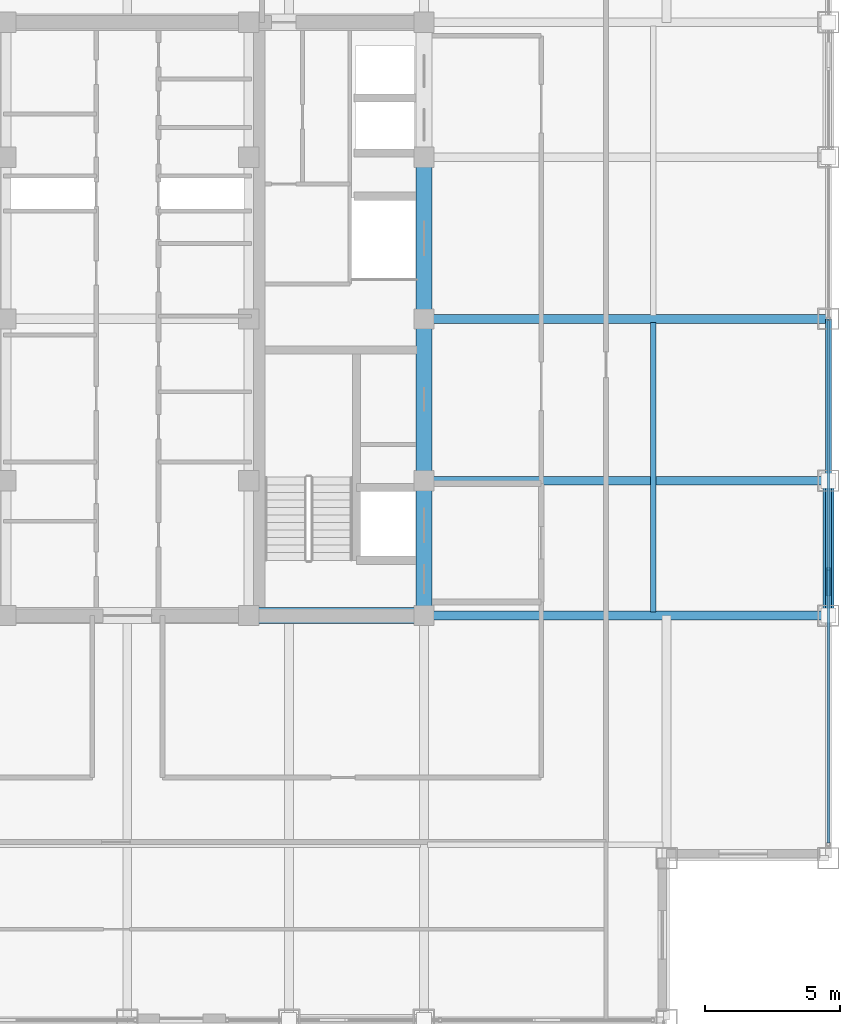
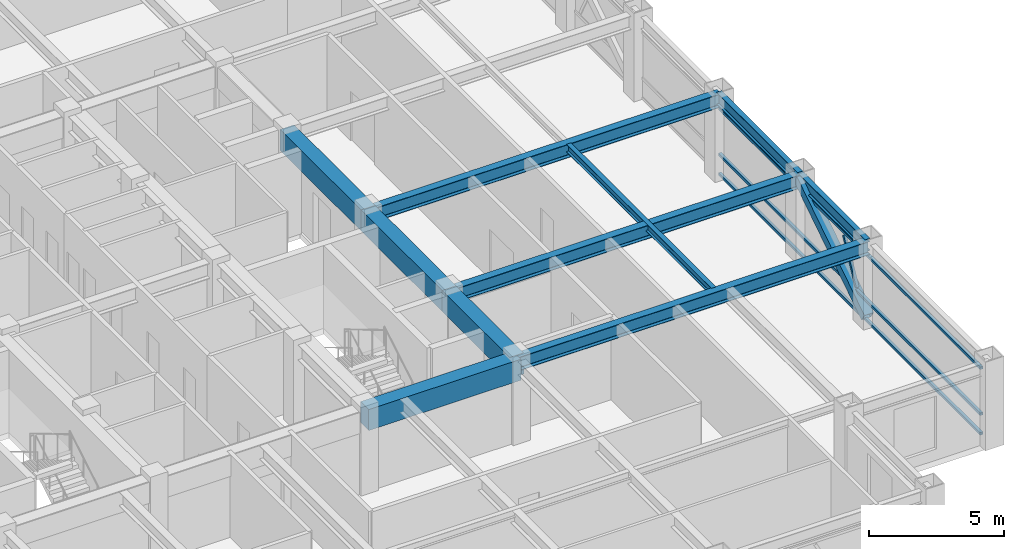
# One storey, part 12 of 30: 10 beams, 5 members, 1 element without a shape of its own.
"""IFC4 building model written with IfcOpenShell, lengths in metres."""

from ifc_helpers import new_model, si_unit, direction, frame, origin, origin_2d, place, context, subcontext, project, spatial, rectangle, hollow_rectangle, i_section, extrude, source, transform, mapped, material, material_profile, profile_set, type_object, element, aggregate, save


model = new_model("IFC4")

# Units and contexts
model_context = context("Model", 3, precision=1e-05, world=origin(), true_north=direction((0.0, 1.0)))
body_context = subcontext(model_context, "Body", "Model", "MODEL_VIEW")
ifc_project = project(units=[si_unit("LENGTHUNIT", "METRE"), si_unit("AREAUNIT", "SQUARE_METRE"), si_unit("VOLUMEUNIT", "CUBIC_METRE"), si_unit("PLANEANGLEUNIT", "RADIAN"), si_unit("MASSUNIT", "GRAM", prefix="KILO")], contexts=[model_context])

# Site, building, storey
site_placement = place(None, origin())
site = spatial("IfcSite", under=ifc_project, at=site_placement, CompositionType="ELEMENT")
building_placement = place(site_placement, origin())
building = spatial("IfcBuilding", under=site, at=building_placement, Name="Khorayat Bourse Tower", CompositionType="ELEMENT")
storey_placement = place(building_placement, frame((0.0, 0.0, 326.300048828125)))
storey = spatial("IfcBuildingStorey", under=building, at=storey_placement, Name="L77", CompositionType="ELEMENT", Elevation=326.300048828125)

# Beams
ifc_material_1 = material(Name="Concrete C60/75", Category="concrete")
ifc_material_profile_1 = material_profile(ifc_material_1, rectangle(XDim=0.60009765625, YDim=0.949951171875, at=origin_2d()), Name="RC 600x950")
ifc_profile_set_1 = profile_set([ifc_material_profile_1], Name="Concrete C60/75")
beam_type_1 = type_object("IfcBeamType", Name="BM-COUP-950", PredefinedType="BEAM", material=ifc_profile_set_1)
shared_shape_1 = source(origin(), body_context, "Body", "SweptSolid", [
    extrude(rectangle(XDim=0.60009765625, YDim=0.949951171875, at=origin_2d()), origin(), (0.0, 0.0, 1.0), 5.0),
])
beam_1_placement = place(storey_placement, frame((11.0, -11.0, 3.264892578125), z_axis=(0.0, 1.0, 0.0), x_axis=(-1.0, 0.0, 0.0)))
element("IfcBeam", 1, at=beam_1_placement, inside=storey, type_object=beam_type_1, Name="L77 BM-COUP-950 BM-L77-CRX-13", PredefinedType="BEAM", context=body_context, shape_type="MappedRepresentation", body=[
    mapped(shared_shape_1, transform((0.0, 0.0, 0.0), scale=1.0)),
])
shared_shape_2 = source(origin(), body_context, "Body", "SweptSolid", [
    extrude(rectangle(XDim=0.60009765625, YDim=0.949951171875, at=origin_2d()), origin(), (0.0, 0.0, 1.0), 6.0),
])
for number, where, z_axis, x_axis, name in (
    (2, (11.0, -6.0, 3.264892578125), (0.0, 1.0, 0.0), (-1.0, 0.0, 0.0), "L77 BM-COUP-950 BM-L77-CRX-14"),
    (3, (11.0, 0.0, 3.264892578125), (0.0, 1.0, 0.0), (-1.0, 0.0, 0.0), "L77 BM-COUP-950 BM-L77-CRX-15"),
):
    element("IfcBeam", number, at=place(storey_placement, frame(where, z_axis=z_axis, x_axis=x_axis)), inside=storey, type_object=beam_type_1, Name=name, PredefinedType="BEAM", context=body_context, shape_type="MappedRepresentation", body=[
        mapped(shared_shape_2, transform((0.0, 0.0, 0.0), scale=1.0)),
    ])
shared_shape_3 = source(origin(), body_context, "Body", "SweptSolid", [
    extrude(rectangle(XDim=0.60009765625, YDim=0.949951171875, at=origin_2d()), origin(), (0.0, 0.0, 1.0), 6.5),
])
beam_2_placement = place(storey_placement, frame((4.5, -11.0, 3.264892578125), z_axis=(1.0, 0.0, 0.0), x_axis=(0.0, 1.0, 0.0)))
element("IfcBeam", 4, at=beam_2_placement, inside=storey, type_object=beam_type_1, Name="L77 BM-COUP-950 BM-L77-CRY-19", PredefinedType="BEAM", context=body_context, shape_type="MappedRepresentation", body=[
    mapped(shared_shape_3, transform((0.0, 0.0, 0.0), scale=1.0)),
])
ifc_material_2 = material(Name="Steel ASTM A992 Grade 50", Category="steel")
ifc_material_profile_2 = material_profile(ifc_material_2, i_section(OverallWidth=0.202880859375, OverallDepth=0.346923828125, WebThickness=0.0078125, FlangeThickness=0.013427734375, FilletRadius=0.010009765625, at=origin_2d()), Name="W360X64")
ifc_profile_set_2 = profile_set([ifc_material_profile_2], Name="Steel ASTM A992 Grade 50")
beam_type_2 = type_object("IfcBeamType", Name="BM-JOIST-360", PredefinedType="JOIST", material=ifc_profile_set_2)
shared_shape_4 = source(origin(), body_context, "Body", "SweptSolid", [
    extrude(i_section(OverallWidth=0.202880859375, OverallDepth=0.346923828125, WebThickness=0.0078125, FlangeThickness=0.013427734375, FilletRadius=0.010009765625, at=origin_2d()), origin(), (0.0, 0.0, 1.0), 10.740234375),
])
beam_3_placement = place(storey_placement, frame((19.5, -10.8701171875, 3.56640625), z_axis=(0.0, 1.0, 0.0), x_axis=(-1.0, 0.0, 0.0)))
element("IfcBeam", 5, at=beam_3_placement, inside=storey, type_object=beam_type_2, Name="L77 BM-JOIST-360 BM-L77-JSTY-088", PredefinedType="JOIST", context=body_context, shape_type="MappedRepresentation", body=[
    mapped(shared_shape_4, transform((0.0, 0.0, 0.0), scale=1.0)),
])
ifc_material_profile_3 = material_profile(ifc_material_2, i_section(OverallWidth=0.214111328125, OverallDepth=0.549072265625, WebThickness=0.0146484375, FlangeThickness=0.023681640625, FilletRadius=0.013916015625, at=origin_2d()), Name="W530X138")
ifc_profile_set_3 = profile_set([ifc_material_profile_3], Name="Steel ASTM A992 Grade 50")
beam_type_3 = type_object("IfcBeamType", Name="BM-SPAN-530", PredefinedType="SPANDREL", material=ifc_profile_set_3)
shared_shape_5 = source(origin(), body_context, "Body", "SweptSolid", [
    extrude(i_section(OverallWidth=0.214111328125, OverallDepth=0.549072265625, WebThickness=0.0146484375, FlangeThickness=0.023681640625, FilletRadius=0.013916015625, at=origin_2d()), origin(), (0.0, 0.0, 1.0), 5.0),
])
beam_4_placement = place(storey_placement, frame((26.0, -11.0, 3.46533203125), z_axis=(0.0, 1.0, 0.0), x_axis=(-1.0, 0.0, 0.0)))
element("IfcBeam", 6, at=beam_4_placement, inside=storey, type_object=beam_type_3, Name="L77 BM-SPAN-530 BM-L77-SPN-033", PredefinedType="SPANDREL", context=body_context, shape_type="MappedRepresentation", body=[
    mapped(shared_shape_5, transform((0.0, 0.0, 0.0), scale=1.0)),
])
shared_shape_6 = source(origin(), body_context, "Body", "SweptSolid", [
    extrude(i_section(OverallWidth=0.214111328125, OverallDepth=0.549072265625, WebThickness=0.0146484375, FlangeThickness=0.023681640625, FilletRadius=0.013916015625, at=origin_2d()), origin(), (0.0, 0.0, 1.0), 6.0),
])
beam_5_placement = place(storey_placement, frame((26.0, -6.0, 3.46533203125), z_axis=(0.0, 1.0, 0.0), x_axis=(-1.0, 0.0, 0.0)))
element("IfcBeam", 7, at=beam_5_placement, inside=storey, type_object=beam_type_3, Name="L77 BM-SPAN-530 BM-L77-SPN-034", PredefinedType="SPANDREL", context=body_context, shape_type="MappedRepresentation", body=[
    mapped(shared_shape_6, transform((0.0, 0.0, 0.0), scale=1.0)),
])
ifc_material_profile_4 = material_profile(ifc_material_2, i_section(OverallWidth=0.324951171875, OverallDepth=0.615966796875, WebThickness=0.013916015625, FlangeThickness=0.021484375, FilletRadius=0.01611328125, at=origin_2d()), Name="W610X174")
ifc_profile_set_4 = profile_set([ifc_material_profile_4], Name="Steel ASTM A992 Grade 50")
beam_type_4 = type_object("IfcBeamType", Name="BM-GIRD-610", PredefinedType="BEAM", material=ifc_profile_set_4)
shared_shape_7 = source(origin(), body_context, "Body", "SweptSolid", [
    extrude(i_section(OverallWidth=0.324951171875, OverallDepth=0.615966796875, WebThickness=0.013916015625, FlangeThickness=0.021484375, FilletRadius=0.01611328125, at=origin_2d()), origin(), (0.0, 0.0, 1.0), 15.0),
])
for number, where, z_axis, x_axis, name in (
    (8, (11.0, -11.0, 3.431884765625), (1.0, 0.0, 0.0), (0.0, 1.0, 0.0), "L77 BM-GIRD-610 BM-L77-RADX-066"),
    (9, (11.0, -6.0, 3.431884765625), (1.0, 0.0, 0.0), (0.0, 1.0, 0.0), "L77 BM-GIRD-610 BM-L77-RADX-068"),
    (10, (11.0, 0.0, 3.431884765625), (1.0, 0.0, 0.0), (0.0, 1.0, 0.0), "L77 BM-GIRD-610 BM-L77-RADX-070"),
):
    element("IfcBeam", number, at=place(storey_placement, frame(where, z_axis=z_axis, x_axis=x_axis)), inside=storey, type_object=beam_type_4, Name=name, PredefinedType="BEAM", context=body_context, shape_type="MappedRepresentation", body=[
        mapped(shared_shape_7, transform((0.0, 0.0, 0.0), scale=1.0)),
    ])

# Member
ifc_material_3 = material(Name="Steel EN 10025-4 S460M", Category="steel")
ifc_material_profile_5 = material_profile(ifc_material_3, hollow_rectangle(XDim=0.39990234375, YDim=0.39990234375, WallThickness=0.02197265625, at=origin_2d()), Name="HSS 400x400x22")
ifc_profile_set_5 = profile_set([ifc_material_profile_5], Name="Steel EN 10025-4 S460M")
member_type_1 = type_object("IfcMemberType", Name="MBR-TUBE-400", PredefinedType="BRACE", material=ifc_profile_set_5)
shared_shape_8 = source(origin(), body_context, "Body", "SweptSolid", [
    extrude(hollow_rectangle(XDim=0.39990234375, YDim=0.39990234375, WallThickness=0.02197265625, at=origin_2d()), origin(), (0.0, 0.0, 1.0), 5.9580078125),
])
member_1_placement = place(storey_placement, frame((26.0, -11.0, 0.25), z_axis=(0.0, 0.839210474455, 0.543806748364), x_axis=(-1.0, 0.0, 0.0)))
element("IfcMember", 11, at=member_1_placement, inside=storey, type_object=member_type_1, Name="L77 Perimeter Tube Brace 07", PredefinedType="BRACE", context=body_context, shape_type="MappedRepresentation", body=[
    mapped(shared_shape_8, transform((0.0, 0.0, 0.0), scale=1.0)),
])

# Curtain wall, members
ifc_material_4 = material(Name="Aluminium EN AW-6063 T6", Category="aluminium")
curtain_wall_type = type_object("IfcCurtainWallType", Name="CW-SYS-04", PredefinedType="NOTDEFINED", material=ifc_material_4)
curtain_wall_placement = place(storey_placement, origin())
curtain_wall = element("IfcCurtainWall", 12, at=curtain_wall_placement, inside=storey, type_object=curtain_wall_type, Name="L77 Curtain Wall CW-L77-E1", PredefinedType="NOTDEFINED")
ifc_material_profile_6 = material_profile(ifc_material_4, hollow_rectangle(XDim=0.1201171875, YDim=0.1201171875, WallThickness=0.0048828125, at=origin_2d()), Name="ALU 120x120x5")
ifc_profile_set_6 = profile_set([ifc_material_profile_6], Name="Aluminium EN AW-6063 T6")
member_type_2 = type_object("IfcMemberType", Name="CWM-DIAG-120", PredefinedType="MULLION", material=ifc_profile_set_6)
shared_shape_9 = source(origin(), body_context, "Body", "SweptSolid", [
    extrude(hollow_rectangle(XDim=0.1201171875, YDim=0.1201171875, WallThickness=0.0048828125, at=origin_2d()), origin(), (0.0, 0.0, 1.0), 2.0341796875),
])
member_2_placement = place(storey_placement, frame((26.0, -10.21875, 1.08984375), z_axis=(0.0, 0.465790950955, 0.884894790361), x_axis=(-1.0, 0.0, 0.0)))
member_2 = element("IfcMember", 13, at=member_2_placement, type_object=member_type_2, Name="CW-L77-E1 Faceted Diagonal Mullion 1", PredefinedType="MULLION", context=body_context, shape_type="MappedRepresentation", body=[
    mapped(shared_shape_9, transform((0.0, 0.0, 0.0), scale=1.0)),
])
ifc_material_profile_7 = material_profile(ifc_material_4, hollow_rectangle(XDim=0.1201171875, YDim=0.1201171875, WallThickness=0.0048828125, at=origin_2d()), Name="ALU 120x120x5")
ifc_profile_set_7 = profile_set([ifc_material_profile_7], Name="Aluminium EN AW-6063 T6")
member_type_3 = type_object("IfcMemberType", Name="CWT-HORZ-120", PredefinedType="USERDEFINED", material=ifc_profile_set_7)
shared_shape_10 = source(origin(), body_context, "Body", "SweptSolid", [
    extrude(hollow_rectangle(XDim=0.1201171875, YDim=0.1201171875, WallThickness=0.0048828125, at=origin_2d()), origin(), (0.0, 0.0, 1.0), 19.369873046875),
])
member_3_placement = place(storey_placement, frame((26.0, -19.429931640625, 0.06005859375), z_axis=(0.0, 1.0, 0.0), x_axis=(-1.0, 0.0, 0.0)))
member_3 = element("IfcMember", 14, at=member_3_placement, type_object=member_type_3, Name="CW-L77-E1 Horizontal Transom 1-1", ObjectType="TRANSOM", PredefinedType="USERDEFINED", context=body_context, shape_type="MappedRepresentation", body=[
    mapped(shared_shape_10, transform((0.0, 0.0, 0.0), scale=1.0)),
])
member_4_placement = place(storey_placement, frame((26.0, -19.429931640625, 0.949951171875), z_axis=(0.0, 1.0, 0.0), x_axis=(-1.0, 0.0, 0.0)))
member_4 = element("IfcMember", 15, at=member_4_placement, type_object=member_type_3, Name="CW-L77-E1 Horizontal Transom 1-2", ObjectType="TRANSOM", PredefinedType="USERDEFINED", context=body_context, shape_type="MappedRepresentation", body=[
    mapped(shared_shape_10, transform((0.0, 0.0, 0.0), scale=1.0)),
])
member_5_placement = place(storey_placement, frame((26.0, -19.429931640625, 3.030029296875), z_axis=(0.0, 1.0, 0.0), x_axis=(-1.0, 0.0, 0.0)))
member_5 = element("IfcMember", 16, at=member_5_placement, type_object=member_type_3, Name="CW-L77-E1 Horizontal Transom 1-3", ObjectType="TRANSOM", PredefinedType="USERDEFINED", context=body_context, shape_type="MappedRepresentation", body=[
    mapped(shared_shape_10, transform((0.0, 0.0, 0.0), scale=1.0)),
])
aggregate(curtain_wall, [member_3, member_4, member_5, member_2])

save(model, "model.ifc")
